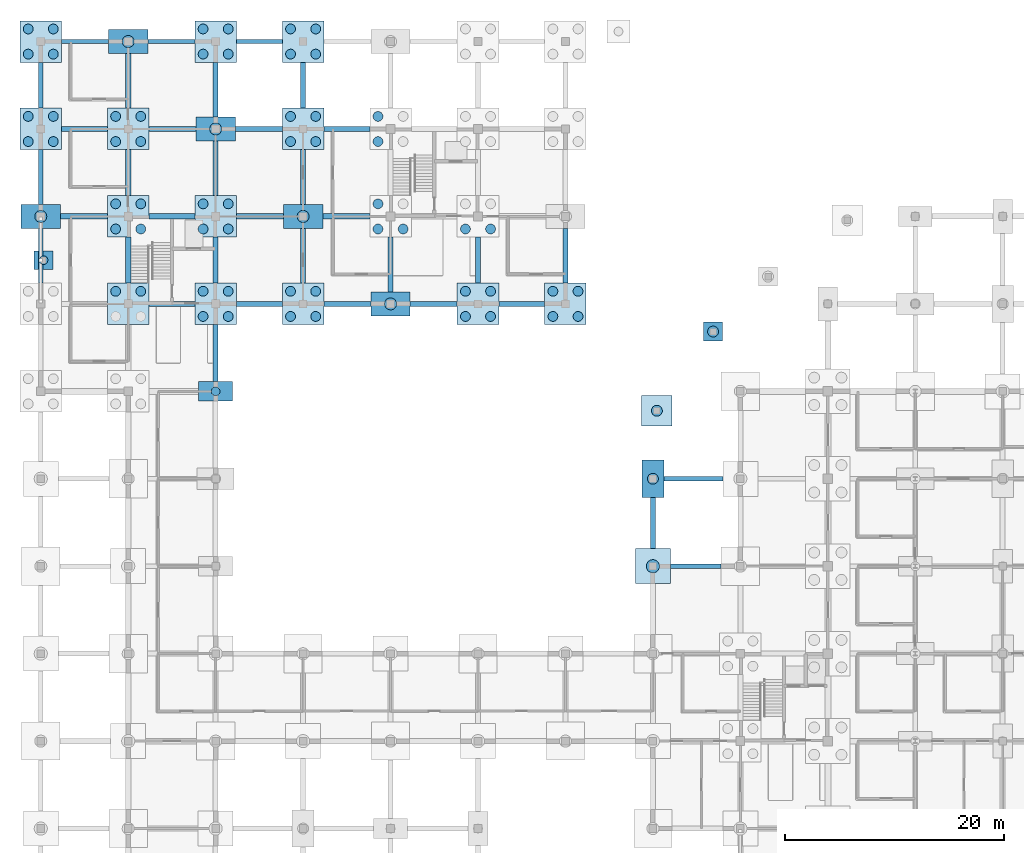
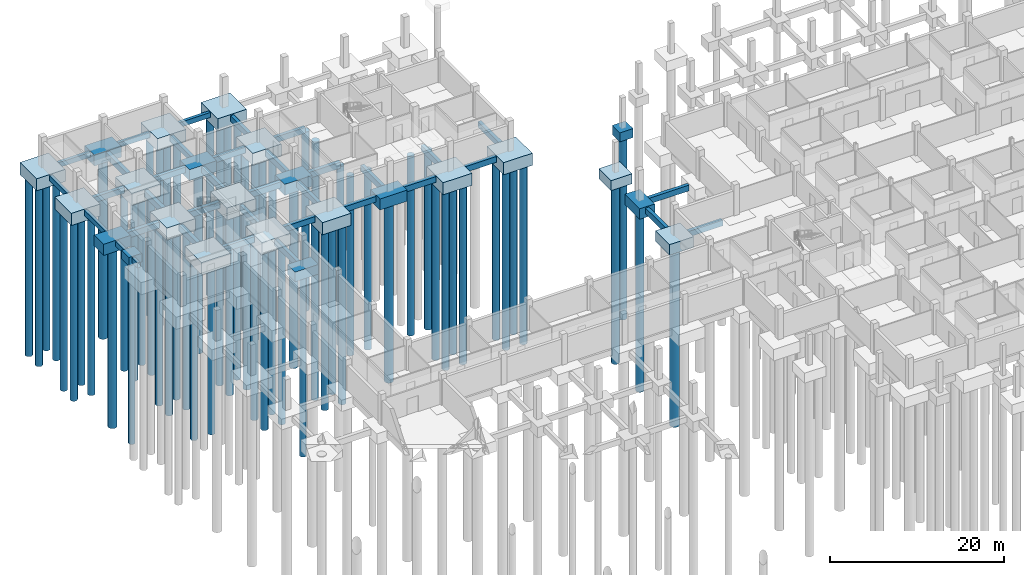
# One storey, part 6 of 48: 68 piles, 59 footings.
"""IFC4 building model written with IfcOpenShell, lengths in metres."""

from ifc_helpers import new_model, si_unit, derived_unit, direction, frame, origin, origin_2d, place, context, subcontext, project, spatial, rectangle, circle, extrude, material, material_profile, profile_set, type_object, element, save


model = new_model("IFC4")

# Units and contexts
model_context = context("Model", 3, precision=1e-05, world=origin(), true_north=direction((0.0, 1.0)))
body_context = subcontext(model_context, "Body", "Model", "MODEL_VIEW")
ifc_project = project(units=[si_unit("LENGTHUNIT", "METRE"), si_unit("AREAUNIT", "SQUARE_METRE"), si_unit("VOLUMEUNIT", "CUBIC_METRE"), si_unit("PLANEANGLEUNIT", "RADIAN"), si_unit("MASSUNIT", "GRAM", prefix="KILO"), derived_unit("THERMALTRANSMITTANCEUNIT", [(si_unit("MASSUNIT", "GRAM", prefix="KILO"), 1), (si_unit("TIMEUNIT", "SECOND"), -3), (si_unit("THERMODYNAMICTEMPERATUREUNIT", "KELVIN"), -1)])], contexts=[model_context])

# Site, building, storey
site_placement = place(None, origin())
site = spatial("IfcSite", under=ifc_project, at=site_placement, CompositionType="ELEMENT")
building_placement = place(site_placement, origin())
building = spatial("IfcBuilding", under=site, at=building_placement, Name="Veyamyaing Civic Hall", CompositionType="ELEMENT")
storey_placement = place(building_placement, frame((0.0, 0.0, -4.2900390625)))
storey = spatial("IfcBuildingStorey", under=building, at=storey_placement, Name="B1", CompositionType="ELEMENT", Elevation=-4.2900390625)

# Footings
ifc_material_1 = material(Name="Concrete C40/50", Category="concrete")
ifc_material_profile_1 = material_profile(ifc_material_1, rectangle(XDim=0.5, YDim=0.85009765625, at=origin_2d()), Name="GB-500X850")
ifc_profile_set_1 = profile_set([ifc_material_profile_1], Name="Concrete C40/50")
footing_type_1 = type_object("IfcFootingType", Name="GB-01", PredefinedType="FOOTING_BEAM", material=ifc_profile_set_1)
footing_1_placement = place(storey_placement, frame((1.800048828125, 96.0, -0.574951171875), z_axis=(1.0, 0.0, 0.0), x_axis=(0.0, 1.0, 0.0)))
element("IfcFooting", 1, at=footing_1_placement, inside=storey, type_object=footing_type_1, Name="Footing tie beam GB-01 X 0-12", PredefinedType="FOOTING_BEAM", context=body_context, shape_type="SweptSolid", body=[
    extrude(rectangle(XDim=0.5, YDim=0.85009765625, at=origin_2d()), origin(), (0.0, 0.0, 1.0), 4.300048828125),
])
for number, where, z_axis, x_axis, name in (
    (2, (8.0, 89.89990234375, -0.574951171875), (0.0, 1.0, 0.0), (-1.0, 0.0, 0.0), "Footing tie beam GB-01 Y 1-11"),
    (3, (9.89990234375, 96.0, -0.574951171875), (1.0, 0.0, 0.0), (0.0, 1.0, 0.0), "Footing tie beam GB-01 X 1-12"),
    (4, (8.0, 97.89990234375, -0.574951171875), (0.0, 1.0, 0.0), (-1.0, 0.0, 0.0), "Footing tie beam GB-01 Y 1-12"),
):
    element("IfcFooting", number, at=place(storey_placement, frame(where, z_axis=z_axis, x_axis=x_axis)), inside=storey, type_object=footing_type_1, Name=name, PredefinedType="FOOTING_BEAM", context=body_context, shape_type="SweptSolid", body=[
        extrude(rectangle(XDim=0.5, YDim=0.85009765625, at=origin_2d()), origin(), (0.0, 0.0, 1.0), 4.2001953125),
    ])
footing_2_placement = place(storey_placement, frame((8.0, 105.89990234375, -0.574951171875), z_axis=(0.0, 1.0, 0.0), x_axis=(-1.0, 0.0, 0.0)))
element("IfcFooting", 5, at=footing_2_placement, inside=storey, type_object=footing_type_1, Name="Footing tie beam GB-01 Y 1-13", PredefinedType="FOOTING_BEAM", context=body_context, shape_type="SweptSolid", body=[
    extrude(rectangle(XDim=0.5, YDim=0.85009765625, at=origin_2d()), origin(), (0.0, 0.0, 1.0), 5.0),
])
for number, where, z_axis, x_axis, name in (
    (6, (17.89990234375, 96.0, -0.574951171875), (1.0, 0.0, 0.0), (0.0, 1.0, 0.0), "Footing tie beam GB-01 X 2-12"),
    (7, (25.800048828125, 96.0, -0.574951171875), (1.0, 0.0, 0.0), (0.0, 1.0, 0.0), "Footing tie beam GB-01 X 3-12"),
):
    element("IfcFooting", number, at=place(storey_placement, frame(where, z_axis=z_axis, x_axis=x_axis)), inside=storey, type_object=footing_type_1, Name=name, PredefinedType="FOOTING_BEAM", context=body_context, shape_type="SweptSolid", body=[
        extrude(rectangle(XDim=0.5, YDim=0.85009765625, at=origin_2d()), origin(), (0.0, 0.0, 1.0), 4.300048828125),
    ])
ifc_material_profile_2 = material_profile(ifc_material_1, rectangle(XDim=0.449951171875, YDim=0.800048828125, at=origin_2d()), Name="GB-450X800")
ifc_profile_set_2 = profile_set([ifc_material_profile_2], Name="Concrete C40/50")
footing_type_2 = type_object("IfcFootingType", Name="GB-02", PredefinedType="FOOTING_BEAM", material=ifc_profile_set_2)
for number, where, z_axis, x_axis, name in (
    (8, (1.89990234375, 104.0, -0.550048828125), (1.0, 0.0, 0.0), (0.0, 1.0, 0.0), "Footing tie beam GB-02 X 0-13"),
    (9, (9.89990234375, 88.0, -0.550048828125), (1.0, 0.0, 0.0), (0.0, 1.0, 0.0), "Footing tie beam GB-02 X 1-11"),
):
    element("IfcFooting", number, at=place(storey_placement, frame(where, z_axis=z_axis, x_axis=x_axis)), inside=storey, type_object=footing_type_2, Name=name, PredefinedType="FOOTING_BEAM", context=body_context, shape_type="SweptSolid", body=[
        extrude(rectangle(XDim=0.449951171875, YDim=0.800048828125, at=origin_2d()), origin(), (0.0, 0.0, 1.0), 4.2001953125),
    ])
footing_3_placement = place(storey_placement, frame((9.89990234375, 104.0, -0.550048828125), z_axis=(1.0, 0.0, 0.0), x_axis=(0.0, 1.0, 0.0)))
element("IfcFooting", 10, at=footing_3_placement, inside=storey, type_object=footing_type_2, Name="Footing tie beam GB-02 X 1-13", PredefinedType="FOOTING_BEAM", context=body_context, shape_type="SweptSolid", body=[
    extrude(rectangle(XDim=0.449951171875, YDim=0.800048828125, at=origin_2d()), origin(), (0.0, 0.0, 1.0), 4.300048828125),
])
footing_4_placement = place(storey_placement, frame((16.0, 80.89990234375, -0.550048828125), z_axis=(0.0, 1.0, 0.0), x_axis=(-1.0, 0.0, 0.0)))
element("IfcFooting", 11, at=footing_4_placement, inside=storey, type_object=footing_type_2, Name="Footing tie beam GB-02 Y 2-10", PredefinedType="FOOTING_BEAM", context=body_context, shape_type="SweptSolid", body=[
    extrude(rectangle(XDim=0.449951171875, YDim=0.800048828125, at=origin_2d()), origin(), (0.0, 0.0, 1.0), 5.2001953125),
])
for number, where, z_axis, x_axis, name in (
    (12, (17.89990234375, 88.0, -0.550048828125), (1.0, 0.0, 0.0), (0.0, 1.0, 0.0), "Footing tie beam GB-02 X 2-11"),
    (13, (16.0, 89.89990234375, -0.550048828125), (0.0, 1.0, 0.0), (-1.0, 0.0, 0.0), "Footing tie beam GB-02 Y 2-11"),
):
    element("IfcFooting", number, at=place(storey_placement, frame(where, z_axis=z_axis, x_axis=x_axis)), inside=storey, type_object=footing_type_2, Name=name, PredefinedType="FOOTING_BEAM", context=body_context, shape_type="SweptSolid", body=[
        extrude(rectangle(XDim=0.449951171875, YDim=0.800048828125, at=origin_2d()), origin(), (0.0, 0.0, 1.0), 4.2001953125),
    ])
footing_5_placement = place(storey_placement, frame((16.0, 97.89990234375, -0.550048828125), z_axis=(0.0, 1.0, 0.0), x_axis=(-1.0, 0.0, 0.0)))
element("IfcFooting", 14, at=footing_5_placement, inside=storey, type_object=footing_type_2, Name="Footing tie beam GB-02 Y 2-12", PredefinedType="FOOTING_BEAM", context=body_context, shape_type="SweptSolid", body=[
    extrude(rectangle(XDim=0.449951171875, YDim=0.800048828125, at=origin_2d()), origin(), (0.0, 0.0, 1.0), 5.0),
])
footing_6_placement = place(storey_placement, frame((17.800048828125, 104.0, -0.550048828125), z_axis=(1.0, 0.0, 0.0), x_axis=(0.0, 1.0, 0.0)))
element("IfcFooting", 15, at=footing_6_placement, inside=storey, type_object=footing_type_2, Name="Footing tie beam GB-02 X 2-13", PredefinedType="FOOTING_BEAM", context=body_context, shape_type="SweptSolid", body=[
    extrude(rectangle(XDim=0.449951171875, YDim=0.800048828125, at=origin_2d()), origin(), (0.0, 0.0, 1.0), 4.300048828125),
])
footing_7_placement = place(storey_placement, frame((16.0, 105.10009765625, -0.550048828125), z_axis=(0.0, 1.0, 0.0), x_axis=(-1.0, 0.0, 0.0)))
element("IfcFooting", 16, at=footing_7_placement, inside=storey, type_object=footing_type_2, Name="Footing tie beam GB-02 Y 2-13", PredefinedType="FOOTING_BEAM", context=body_context, shape_type="SweptSolid", body=[
    extrude(rectangle(XDim=0.449951171875, YDim=0.800048828125, at=origin_2d()), origin(), (0.0, 0.0, 1.0), 5.0),
])
footing_8_placement = place(storey_placement, frame((25.89990234375, 88.0, -0.550048828125), z_axis=(1.0, 0.0, 0.0), x_axis=(0.0, 1.0, 0.0)))
element("IfcFooting", 17, at=footing_8_placement, inside=storey, type_object=footing_type_2, Name="Footing tie beam GB-02 X 3-11", PredefinedType="FOOTING_BEAM", context=body_context, shape_type="SweptSolid", body=[
    extrude(rectangle(XDim=0.449951171875, YDim=0.800048828125, at=origin_2d()), origin(), (0.0, 0.0, 1.0), 4.300048828125),
])
for number, where, z_axis, x_axis, name in (
    (18, (24.0, 89.89990234375, -0.550048828125), (0.0, 1.0, 0.0), (-1.0, 0.0, 0.0), "Footing tie beam GB-02 Y 3-11"),
    (19, (24.0, 97.10009765625, -0.550048828125), (0.0, 1.0, 0.0), (-1.0, 0.0, 0.0), "Footing tie beam GB-02 Y 3-12"),
):
    element("IfcFooting", number, at=place(storey_placement, frame(where, z_axis=z_axis, x_axis=x_axis)), inside=storey, type_object=footing_type_2, Name=name, PredefinedType="FOOTING_BEAM", context=body_context, shape_type="SweptSolid", body=[
        extrude(rectangle(XDim=0.449951171875, YDim=0.800048828125, at=origin_2d()), origin(), (0.0, 0.0, 1.0), 5.0),
    ])
for number, where, z_axis, x_axis, name in (
    (20, (25.89990234375, 104.0, -0.550048828125), (1.0, 0.0, 0.0), (0.0, 1.0, 0.0), "Footing tie beam GB-02 X 3-13"),
    (21, (24.0, 105.89990234375, -0.550048828125), (0.0, 1.0, 0.0), (-1.0, 0.0, 0.0), "Footing tie beam GB-02 Y 3-13"),
):
    element("IfcFooting", number, at=place(storey_placement, frame(where, z_axis=z_axis, x_axis=x_axis)), inside=storey, type_object=footing_type_2, Name=name, PredefinedType="FOOTING_BEAM", context=body_context, shape_type="SweptSolid", body=[
        extrude(rectangle(XDim=0.449951171875, YDim=0.800048828125, at=origin_2d()), origin(), (0.0, 0.0, 1.0), 4.2001953125),
    ])
footing_9_placement = place(storey_placement, frame((33.800048828125, 88.0, -0.550048828125), z_axis=(1.0, 0.0, 0.0), x_axis=(0.0, 1.0, 0.0)))
element("IfcFooting", 22, at=footing_9_placement, inside=storey, type_object=footing_type_2, Name="Footing tie beam GB-02 X 4-11", PredefinedType="FOOTING_BEAM", context=body_context, shape_type="SweptSolid", body=[
    extrude(rectangle(XDim=0.449951171875, YDim=0.800048828125, at=origin_2d()), origin(), (0.0, 0.0, 1.0), 4.300048828125),
])
footing_10_placement = place(storey_placement, frame((32.0, 89.10009765625, -0.550048828125), z_axis=(0.0, 1.0, 0.0), x_axis=(-1.0, 0.0, 0.0)))
element("IfcFooting", 23, at=footing_10_placement, inside=storey, type_object=footing_type_2, Name="Footing tie beam GB-02 Y 4-11", PredefinedType="FOOTING_BEAM", context=body_context, shape_type="SweptSolid", body=[
    extrude(rectangle(XDim=0.449951171875, YDim=0.800048828125, at=origin_2d()), origin(), (0.0, 0.0, 1.0), 5.0),
])
for number, where, z_axis, x_axis, name in (
    (24, (41.89990234375, 88.0, -0.550048828125), (1.0, 0.0, 0.0), (0.0, 1.0, 0.0), "Footing tie beam GB-02 X 5-11"),
    (25, (40.0, 89.89990234375, -0.550048828125), (0.0, 1.0, 0.0), (-1.0, 0.0, 0.0), "Footing tie beam GB-02 Y 5-11"),
):
    element("IfcFooting", number, at=place(storey_placement, frame(where, z_axis=z_axis, x_axis=x_axis)), inside=storey, type_object=footing_type_2, Name=name, PredefinedType="FOOTING_BEAM", context=body_context, shape_type="SweptSolid", body=[
        extrude(rectangle(XDim=0.449951171875, YDim=0.800048828125, at=origin_2d()), origin(), (0.0, 0.0, 1.0), 4.2001953125),
    ])
footing_11_placement = place(storey_placement, frame((48.0, 89.89990234375, -0.550048828125), z_axis=(0.0, 1.0, 0.0), x_axis=(-1.0, 0.0, 0.0)))
element("IfcFooting", 26, at=footing_11_placement, inside=storey, type_object=footing_type_2, Name="Footing tie beam GB-02 Y 6-11", PredefinedType="FOOTING_BEAM", context=body_context, shape_type="SweptSolid", body=[
    extrude(rectangle(XDim=0.449951171875, YDim=0.800048828125, at=origin_2d()), origin(), (0.0, 0.0, 1.0), 5.0),
])
footing_12_placement = place(storey_placement, frame((57.60009765625, 64.0, -0.550048828125), z_axis=(1.0, 0.0, 0.0), x_axis=(0.0, 1.0, 0.0)))
element("IfcFooting", 27, at=footing_12_placement, inside=storey, type_object=footing_type_2, Name="Footing tie beam GB-02 X 7-8", PredefinedType="FOOTING_BEAM", context=body_context, shape_type="SweptSolid", body=[
    extrude(rectangle(XDim=0.449951171875, YDim=0.800048828125, at=origin_2d()), origin(), (0.0, 0.0, 1.0), 4.64990234375),
])
footing_13_placement = place(storey_placement, frame((56.0, 65.60009765625, -0.550048828125), z_axis=(0.0, 1.0, 0.0), x_axis=(-1.0, 0.0, 0.0)))
element("IfcFooting", 28, at=footing_13_placement, inside=storey, type_object=footing_type_2, Name="Footing tie beam GB-02 Y 7-8", PredefinedType="FOOTING_BEAM", context=body_context, shape_type="SweptSolid", body=[
    extrude(rectangle(XDim=0.449951171875, YDim=0.800048828125, at=origin_2d()), origin(), (0.0, 0.0, 1.0), 4.699951171875),
])
footing_14_placement = place(storey_placement, frame((57.0, 72.0, -0.550048828125), z_axis=(1.0, 0.0, 0.0), x_axis=(0.0, 1.0, 0.0)))
element("IfcFooting", 29, at=footing_14_placement, inside=storey, type_object=footing_type_2, Name="Footing tie beam GB-02 X 7-9", PredefinedType="FOOTING_BEAM", context=body_context, shape_type="SweptSolid", body=[
    extrude(rectangle(XDim=0.449951171875, YDim=0.800048828125, at=origin_2d()), origin(), (0.0, 0.0, 1.0), 5.39990234375),
])
ifc_material_profile_3 = material_profile(ifc_material_1, rectangle(XDim=0.39990234375, YDim=0.699951171875, at=origin_2d()), Name="GB-400X700")
ifc_profile_set_3 = profile_set([ifc_material_profile_3], Name="Concrete C40/50")
footing_type_3 = type_object("IfcFootingType", Name="GB-03", PredefinedType="FOOTING_BEAM", material=ifc_profile_set_3)
for number, where, z_axis, x_axis, name in (
    (30, (0.0, 89.89990234375, -0.5), (0.0, 1.0, 0.0), (-1.0, 0.0, 0.0), "Footing tie beam GB-03 Y 0-11"),
    (31, (0.0, 97.10009765625, -0.5), (0.0, 1.0, 0.0), (-1.0, 0.0, 0.0), "Footing tie beam GB-03 Y 0-12"),
):
    element("IfcFooting", number, at=place(storey_placement, frame(where, z_axis=z_axis, x_axis=x_axis)), inside=storey, type_object=footing_type_3, Name=name, PredefinedType="FOOTING_BEAM", context=body_context, shape_type="SweptSolid", body=[
        extrude(rectangle(XDim=0.39990234375, YDim=0.699951171875, at=origin_2d()), origin(), (0.0, 0.0, 1.0), 5.0),
    ])
footing_15_placement = place(storey_placement, frame((0.0, 105.89990234375, -0.5), z_axis=(0.0, 1.0, 0.0), x_axis=(-1.0, 0.0, 0.0)))
element("IfcFooting", 32, at=footing_15_placement, inside=storey, type_object=footing_type_3, Name="Footing tie beam GB-03 Y 0-13", PredefinedType="FOOTING_BEAM", context=body_context, shape_type="SweptSolid", body=[
    extrude(rectangle(XDim=0.39990234375, YDim=0.699951171875, at=origin_2d()), origin(), (0.0, 0.0, 1.0), 4.2001953125),
])
for number, where, z_axis, x_axis, name in (
    (33, (1.89990234375, 112.0, -0.5), (1.0, 0.0, 0.0), (0.0, 1.0, 0.0), "Footing tie beam GB-03 X 0-14"),
    (34, (9.800048828125, 112.0, -0.5), (1.0, 0.0, 0.0), (0.0, 1.0, 0.0), "Footing tie beam GB-03 X 1-14"),
):
    element("IfcFooting", number, at=place(storey_placement, frame(where, z_axis=z_axis, x_axis=x_axis)), inside=storey, type_object=footing_type_3, Name=name, PredefinedType="FOOTING_BEAM", context=body_context, shape_type="SweptSolid", body=[
        extrude(rectangle(XDim=0.39990234375, YDim=0.699951171875, at=origin_2d()), origin(), (0.0, 0.0, 1.0), 4.300048828125),
    ])
footing_16_placement = place(storey_placement, frame((17.89990234375, 112.0, -0.5), z_axis=(1.0, 0.0, 0.0), x_axis=(0.0, 1.0, 0.0)))
element("IfcFooting", 35, at=footing_16_placement, inside=storey, type_object=footing_type_3, Name="Footing tie beam GB-03 X 2-14", PredefinedType="FOOTING_BEAM", context=body_context, shape_type="SweptSolid", body=[
    extrude(rectangle(XDim=0.39990234375, YDim=0.699951171875, at=origin_2d()), origin(), (0.0, 0.0, 1.0), 4.2001953125),
])

# Piles
ifc_material_2 = material(Name="Concrete C35/45", Category="concrete")
ifc_material_profile_4 = material_profile(ifc_material_2, circle(Radius=0.60009765625, at=origin_2d()), Name="PILE-D1200")
ifc_profile_set_4 = profile_set([ifc_material_profile_4], Name="Concrete C35/45")
pile_type_1 = type_object("IfcPileType", Name="P-01", PredefinedType="BORED", material=ifc_profile_set_4)
pile_1_placement = place(storey_placement, frame((56.0, 64.0, -1.39990234375), z_axis=(0.0, 0.0, -1.0), x_axis=(1.0, 0.0, 0.0)))
element("IfcPile", 36, at=pile_1_placement, inside=storey, type_object=pile_type_1, Name="Bored pile P-01 G07-08.1", PredefinedType="BORED", context=body_context, shape_type="SweptSolid", body=[
    extrude(circle(Radius=0.60009765625, at=origin_2d()), origin(), (0.0, 0.0, 1.0), 25.31005859375),
])
ifc_material_profile_5 = material_profile(ifc_material_2, circle(Radius=0.550048828125, at=origin_2d()), Name="PILE-D1100")
ifc_profile_set_5 = profile_set([ifc_material_profile_5], Name="Concrete C35/45")
pile_type_2 = type_object("IfcPileType", Name="P-02", PredefinedType="BORED", material=ifc_profile_set_5)
for number, where, z_axis, x_axis, name in (
    (37, (0.0, 96.0, -1.449951171875), (0.0, 0.0, -1.0), (1.0, 0.0, 0.0), "Bored pile P-02 G00-12.1"),
    (38, (8.0, 112.0, -1.449951171875), (0.0, 0.0, -1.0), (1.0, 0.0, 0.0), "Bored pile P-02 G01-14.1"),
    (39, (16.0, 104.0, -1.449951171875), (0.0, 0.0, -1.0), (1.0, 0.0, 0.0), "Bored pile P-02 G02-13.1"),
    (40, (24.0, 96.0, -1.449951171875), (0.0, 0.0, -1.0), (1.0, 0.0, 0.0), "Bored pile P-02 G03-12.1"),
    (41, (32.0, 88.0, -1.449951171875), (0.0, 0.0, -1.0), (1.0, 0.0, 0.0), "Bored pile P-02 G04-11.1"),
):
    element("IfcPile", number, at=place(storey_placement, frame(where, z_axis=z_axis, x_axis=x_axis)), inside=storey, type_object=pile_type_2, Name=name, PredefinedType="BORED", context=body_context, shape_type="SweptSolid", body=[
        extrude(circle(Radius=0.550048828125, at=origin_2d()), origin(), (0.0, 0.0, 1.0), 25.260009765625),
    ])
ifc_material_profile_6 = material_profile(ifc_material_2, circle(Radius=0.5, at=origin_2d()), Name="PILE-D1000")
ifc_profile_set_6 = profile_set([ifc_material_profile_6], Name="Concrete C35/45")
pile_type_3 = type_object("IfcPileType", Name="P-03", PredefinedType="BORED", material=ifc_profile_set_6)
pile_2_placement = place(storey_placement, frame((56.0, 72.0, -1.349853515625), z_axis=(0.0, 0.0, -1.0), x_axis=(1.0, 0.0, 0.0)))
element("IfcPile", 42, at=pile_2_placement, inside=storey, type_object=pile_type_3, Name="Bored pile P-03 G07-09.1", PredefinedType="BORED", context=body_context, shape_type="SweptSolid", body=[
    extrude(circle(Radius=0.5, at=origin_2d()), origin(), (0.0, 0.0, 1.0), 25.360107421875),
])
pile_3_placement = place(storey_placement, frame((61.5048828125, 85.466552734375, -1.14990234375), z_axis=(0.0, 0.0, -1.0), x_axis=(1.0, 0.0, 0.0)))
element("IfcPile", 43, at=pile_3_placement, inside=storey, type_object=pile_type_3, Name="Bored pile P-03 ARC-NW-09.1", PredefinedType="BORED", context=body_context, shape_type="SweptSolid", body=[
    extrude(circle(Radius=0.5, at=origin_2d()), origin(), (0.0, 0.0, 1.0), 25.56005859375),
])
pile_4_placement = place(storey_placement, frame((56.36376953125, 78.220703125, -1.300048828125), z_axis=(0.0, 0.0, -1.0), x_axis=(1.0, 0.0, 0.0)))
element("IfcPile", 44, at=pile_4_placement, inside=storey, type_object=pile_type_3, Name="Bored pile P-03 ARC-NW-14.1", PredefinedType="BORED", context=body_context, shape_type="SweptSolid", body=[
    extrude(circle(Radius=0.5, at=origin_2d()), origin(), (0.0, 0.0, 1.0), 25.409912109375),
])
ifc_material_profile_7 = material_profile(ifc_material_2, circle(Radius=0.449951171875, at=origin_2d()), Name="PILE-D900")
ifc_profile_set_7 = profile_set([ifc_material_profile_7], Name="Concrete C35/45")
pile_type_4 = type_object("IfcPileType", Name="P-04", PredefinedType="BORED", material=ifc_profile_set_7)
for number, where, z_axis, x_axis, name in (
    (45, (-1.14990234375, 102.85009765625, -1.599853515625), (0.0, 0.0, -1.0), (1.0, 0.0, 0.0), "Bored pile P-04 G00-13.1"),
    (46, (-1.14990234375, 105.14990234375, -1.599853515625), (0.0, 0.0, -1.0), (1.0, 0.0, 0.0), "Bored pile P-04 G00-13.2"),
    (47, (1.14990234375, 102.85009765625, -1.599853515625), (0.0, 0.0, -1.0), (1.0, 0.0, 0.0), "Bored pile P-04 G00-13.3"),
    (48, (1.14990234375, 105.14990234375, -1.599853515625), (0.0, 0.0, -1.0), (1.0, 0.0, 0.0), "Bored pile P-04 G00-13.4"),
    (49, (-1.14990234375, 110.85009765625, -1.599853515625), (0.0, 0.0, -1.0), (1.0, 0.0, 0.0), "Bored pile P-04 G00-14.1"),
    (50, (-1.14990234375, 113.14990234375, -1.599853515625), (0.0, 0.0, -1.0), (1.0, 0.0, 0.0), "Bored pile P-04 G00-14.2"),
    (51, (1.14990234375, 110.85009765625, -1.599853515625), (0.0, 0.0, -1.0), (1.0, 0.0, 0.0), "Bored pile P-04 G00-14.3"),
    (52, (1.14990234375, 113.14990234375, -1.599853515625), (0.0, 0.0, -1.0), (1.0, 0.0, 0.0), "Bored pile P-04 G00-14.4"),
    (53, (6.85009765625, 89.14990234375, -1.599853515625), (0.0, 0.0, -1.0), (1.0, 0.0, 0.0), "Bored pile P-04 G01-11.2"),
    (54, (9.14990234375, 89.14990234375, -1.599853515625), (0.0, 0.0, -1.0), (1.0, 0.0, 0.0), "Bored pile P-04 G01-11.4"),
    (55, (6.85009765625, 94.85009765625, -1.599853515625), (0.0, 0.0, -1.0), (1.0, 0.0, 0.0), "Bored pile P-04 G01-12.1"),
    (56, (6.85009765625, 97.14990234375, -1.599853515625), (0.0, 0.0, -1.0), (1.0, 0.0, 0.0), "Bored pile P-04 G01-12.2"),
    (57, (9.14990234375, 94.85009765625, -1.599853515625), (0.0, 0.0, -1.0), (1.0, 0.0, 0.0), "Bored pile P-04 G01-12.3"),
    (58, (9.14990234375, 97.14990234375, -1.599853515625), (0.0, 0.0, -1.0), (1.0, 0.0, 0.0), "Bored pile P-04 G01-12.4"),
    (59, (6.85009765625, 102.85009765625, -1.599853515625), (0.0, 0.0, -1.0), (1.0, 0.0, 0.0), "Bored pile P-04 G01-13.1"),
    (60, (6.85009765625, 105.14990234375, -1.599853515625), (0.0, 0.0, -1.0), (1.0, 0.0, 0.0), "Bored pile P-04 G01-13.2"),
    (61, (9.14990234375, 102.85009765625, -1.599853515625), (0.0, 0.0, -1.0), (1.0, 0.0, 0.0), "Bored pile P-04 G01-13.3"),
    (62, (9.14990234375, 105.14990234375, -1.599853515625), (0.0, 0.0, -1.0), (1.0, 0.0, 0.0), "Bored pile P-04 G01-13.4"),
    (63, (14.85009765625, 86.85009765625, -1.599853515625), (0.0, 0.0, -1.0), (1.0, 0.0, 0.0), "Bored pile P-04 G02-11.1"),
    (64, (14.85009765625, 89.14990234375, -1.599853515625), (0.0, 0.0, -1.0), (1.0, 0.0, 0.0), "Bored pile P-04 G02-11.2"),
    (65, (17.14990234375, 86.85009765625, -1.599853515625), (0.0, 0.0, -1.0), (1.0, 0.0, 0.0), "Bored pile P-04 G02-11.3"),
    (66, (17.14990234375, 89.14990234375, -1.599853515625), (0.0, 0.0, -1.0), (1.0, 0.0, 0.0), "Bored pile P-04 G02-11.4"),
    (67, (14.85009765625, 94.85009765625, -1.599853515625), (0.0, 0.0, -1.0), (1.0, 0.0, 0.0), "Bored pile P-04 G02-12.1"),
    (68, (14.85009765625, 97.14990234375, -1.599853515625), (0.0, 0.0, -1.0), (1.0, 0.0, 0.0), "Bored pile P-04 G02-12.2"),
    (69, (17.14990234375, 94.85009765625, -1.599853515625), (0.0, 0.0, -1.0), (1.0, 0.0, 0.0), "Bored pile P-04 G02-12.3"),
    (70, (17.14990234375, 97.14990234375, -1.599853515625), (0.0, 0.0, -1.0), (1.0, 0.0, 0.0), "Bored pile P-04 G02-12.4"),
    (71, (14.85009765625, 110.85009765625, -1.599853515625), (0.0, 0.0, -1.0), (1.0, 0.0, 0.0), "Bored pile P-04 G02-14.1"),
    (72, (14.85009765625, 113.14990234375, -1.599853515625), (0.0, 0.0, -1.0), (1.0, 0.0, 0.0), "Bored pile P-04 G02-14.2"),
    (73, (17.14990234375, 110.85009765625, -1.599853515625), (0.0, 0.0, -1.0), (1.0, 0.0, 0.0), "Bored pile P-04 G02-14.3"),
    (74, (17.14990234375, 113.14990234375, -1.599853515625), (0.0, 0.0, -1.0), (1.0, 0.0, 0.0), "Bored pile P-04 G02-14.4"),
    (75, (22.85009765625, 86.85009765625, -1.599853515625), (0.0, 0.0, -1.0), (1.0, 0.0, 0.0), "Bored pile P-04 G03-11.1"),
    (76, (22.85009765625, 89.14990234375, -1.599853515625), (0.0, 0.0, -1.0), (1.0, 0.0, 0.0), "Bored pile P-04 G03-11.2"),
    (77, (25.14990234375, 86.85009765625, -1.599853515625), (0.0, 0.0, -1.0), (1.0, 0.0, 0.0), "Bored pile P-04 G03-11.3"),
    (78, (25.14990234375, 89.14990234375, -1.599853515625), (0.0, 0.0, -1.0), (1.0, 0.0, 0.0), "Bored pile P-04 G03-11.4"),
    (79, (22.85009765625, 102.85009765625, -1.599853515625), (0.0, 0.0, -1.0), (1.0, 0.0, 0.0), "Bored pile P-04 G03-13.1"),
    (80, (22.85009765625, 105.14990234375, -1.599853515625), (0.0, 0.0, -1.0), (1.0, 0.0, 0.0), "Bored pile P-04 G03-13.2"),
    (81, (25.14990234375, 102.85009765625, -1.599853515625), (0.0, 0.0, -1.0), (1.0, 0.0, 0.0), "Bored pile P-04 G03-13.3"),
    (82, (25.14990234375, 105.14990234375, -1.599853515625), (0.0, 0.0, -1.0), (1.0, 0.0, 0.0), "Bored pile P-04 G03-13.4"),
    (83, (22.85009765625, 110.85009765625, -1.599853515625), (0.0, 0.0, -1.0), (1.0, 0.0, 0.0), "Bored pile P-04 G03-14.1"),
    (84, (22.85009765625, 113.14990234375, -1.599853515625), (0.0, 0.0, -1.0), (1.0, 0.0, 0.0), "Bored pile P-04 G03-14.2"),
    (85, (25.14990234375, 110.85009765625, -1.599853515625), (0.0, 0.0, -1.0), (1.0, 0.0, 0.0), "Bored pile P-04 G03-14.3"),
    (86, (25.14990234375, 113.14990234375, -1.599853515625), (0.0, 0.0, -1.0), (1.0, 0.0, 0.0), "Bored pile P-04 G03-14.4"),
    (87, (30.85009765625, 94.85009765625, -1.599853515625), (0.0, 0.0, -1.0), (1.0, 0.0, 0.0), "Bored pile P-04 G04-12.1"),
    (88, (30.85009765625, 97.14990234375, -1.599853515625), (0.0, 0.0, -1.0), (1.0, 0.0, 0.0), "Bored pile P-04 G04-12.2"),
    (89, (33.14990234375, 94.85009765625, -1.599853515625), (0.0, 0.0, -1.0), (1.0, 0.0, 0.0), "Bored pile P-04 G04-12.3"),
    (90, (30.85009765625, 102.85009765625, -1.599853515625), (0.0, 0.0, -1.0), (1.0, 0.0, 0.0), "Bored pile P-04 G04-13.1"),
    (91, (30.85009765625, 105.14990234375, -1.599853515625), (0.0, 0.0, -1.0), (1.0, 0.0, 0.0), "Bored pile P-04 G04-13.2"),
    (92, (38.85009765625, 86.85009765625, -1.599853515625), (0.0, 0.0, -1.0), (1.0, 0.0, 0.0), "Bored pile P-04 G05-11.1"),
    (93, (38.85009765625, 89.14990234375, -1.599853515625), (0.0, 0.0, -1.0), (1.0, 0.0, 0.0), "Bored pile P-04 G05-11.2"),
    (94, (41.14990234375, 86.85009765625, -1.599853515625), (0.0, 0.0, -1.0), (1.0, 0.0, 0.0), "Bored pile P-04 G05-11.3"),
    (95, (41.14990234375, 89.14990234375, -1.599853515625), (0.0, 0.0, -1.0), (1.0, 0.0, 0.0), "Bored pile P-04 G05-11.4"),
    (96, (38.85009765625, 94.85009765625, -1.599853515625), (0.0, 0.0, -1.0), (1.0, 0.0, 0.0), "Bored pile P-04 G05-12.1"),
    (97, (41.14990234375, 94.85009765625, -1.599853515625), (0.0, 0.0, -1.0), (1.0, 0.0, 0.0), "Bored pile P-04 G05-12.3"),
    (98, (46.85009765625, 86.85009765625, -1.599853515625), (0.0, 0.0, -1.0), (1.0, 0.0, 0.0), "Bored pile P-04 G06-11.1"),
    (99, (46.85009765625, 89.14990234375, -1.599853515625), (0.0, 0.0, -1.0), (1.0, 0.0, 0.0), "Bored pile P-04 G06-11.2"),
    (100, (49.14990234375, 86.85009765625, -1.599853515625), (0.0, 0.0, -1.0), (1.0, 0.0, 0.0), "Bored pile P-04 G06-11.3"),
    (101, (49.14990234375, 89.14990234375, -1.599853515625), (0.0, 0.0, -1.0), (1.0, 0.0, 0.0), "Bored pile P-04 G06-11.4"),
):
    element("IfcPile", number, at=place(storey_placement, frame(where, z_axis=z_axis, x_axis=x_axis)), inside=storey, type_object=pile_type_4, Name=name, PredefinedType="BORED", context=body_context, shape_type="SweptSolid", body=[
        extrude(circle(Radius=0.449951171875, at=origin_2d()), origin(), (0.0, 0.0, 1.0), 25.110107421875),
    ])
ifc_material_profile_8 = material_profile(ifc_material_2, circle(Radius=0.39990234375, at=origin_2d()), Name="PILE-D800")
ifc_profile_set_8 = profile_set([ifc_material_profile_8], Name="Concrete C35/45")
pile_type_5 = type_object("IfcPileType", Name="P-05", PredefinedType="BORED", material=ifc_profile_set_8)
pile_5_placement = place(storey_placement, frame((16.0, 80.0, -1.25), z_axis=(0.0, 0.0, -1.0), x_axis=(1.0, 0.0, 0.0)))
element("IfcPile", 102, at=pile_5_placement, inside=storey, type_object=pile_type_5, Name="Bored pile P-05 G02-10.1", PredefinedType="BORED", context=body_context, shape_type="SweptSolid", body=[
    extrude(circle(Radius=0.39990234375, at=origin_2d()), origin(), (0.0, 0.0, 1.0), 25.4599609375),
])
pile_6_placement = place(storey_placement, frame((0.25, 92.0, -1.099853515625), z_axis=(0.0, 0.0, -1.0), x_axis=(1.0, 0.0, 0.0)))
element("IfcPile", 103, at=pile_6_placement, inside=storey, type_object=pile_type_5, Name="Bored pile P-05 PIL-W-11.1", PredefinedType="BORED", context=body_context, shape_type="SweptSolid", body=[
    extrude(circle(Radius=0.39990234375, at=origin_2d()), origin(), (0.0, 0.0, 1.0), 25.610107421875),
])

# Footings
footing_type_4 = type_object("IfcFootingType", Name="PC-01", PredefinedType="PILE_CAP", material=ifc_material_1)
for number, where, z_axis, x_axis, name in (
    (104, (0.0, 104.0, -1.69970703125), (0.0, 0.0, 1.0), (1.0, 0.0, 0.0), "Pile cap PC-01 G00-13"),
    (105, (0.0, 112.0, -1.69970703125), (0.0, 0.0, 1.0), (1.0, 0.0, 0.0), "Pile cap PC-01 G00-14"),
    (106, (8.0, 88.0, -1.69970703125), (0.0, 0.0, 1.0), (1.0, 0.0, 0.0), "Pile cap PC-01 G01-11"),
    (107, (8.0, 96.0, -1.69970703125), (0.0, 0.0, 1.0), (1.0, 0.0, 0.0), "Pile cap PC-01 G01-12"),
    (108, (8.0, 104.0, -1.69970703125), (0.0, 0.0, 1.0), (1.0, 0.0, 0.0), "Pile cap PC-01 G01-13"),
    (109, (16.0, 88.0, -1.69970703125), (0.0, 0.0, 1.0), (1.0, 0.0, 0.0), "Pile cap PC-01 G02-11"),
    (110, (16.0, 96.0, -1.69970703125), (0.0, 0.0, 1.0), (1.0, 0.0, 0.0), "Pile cap PC-01 G02-12"),
    (111, (16.0, 112.0, -1.69970703125), (0.0, 0.0, 1.0), (1.0, 0.0, 0.0), "Pile cap PC-01 G02-14"),
    (112, (24.0, 88.0, -1.69970703125), (0.0, 0.0, 1.0), (1.0, 0.0, 0.0), "Pile cap PC-01 G03-11"),
    (113, (24.0, 104.0, -1.69970703125), (0.0, 0.0, 1.0), (1.0, 0.0, 0.0), "Pile cap PC-01 G03-13"),
    (114, (24.0, 112.0, -1.69970703125), (0.0, 0.0, 1.0), (1.0, 0.0, 0.0), "Pile cap PC-01 G03-14"),
    (115, (40.0, 88.0, -1.69970703125), (0.0, 0.0, 1.0), (1.0, 0.0, 0.0), "Pile cap PC-01 G05-11"),
    (116, (48.0, 88.0, -1.69970703125), (0.0, 0.0, 1.0), (1.0, 0.0, 0.0), "Pile cap PC-01 G06-11"),
):
    element("IfcFooting", number, at=place(storey_placement, frame(where, z_axis=z_axis, x_axis=x_axis)), inside=storey, type_object=footing_type_4, Name=name, PredefinedType="PILE_CAP", context=body_context, shape_type="SweptSolid", body=[
        extrude(rectangle(XDim=3.800048828125, YDim=3.800048828125, at=origin_2d()), origin(), (0.0, 0.0, 1.0), 1.699951171875),
    ])
footing_type_5 = type_object("IfcFootingType", Name="PC-03", PredefinedType="PILE_CAP", material=ifc_material_1)
footing_17_placement = place(storey_placement, frame((56.0, 64.0, -1.5), z_axis=(0.0, 0.0, 1.0), x_axis=(1.0, 0.0, 0.0)))
element("IfcFooting", 117, at=footing_17_placement, inside=storey, type_object=footing_type_5, Name="Pile cap PC-03 G07-08", PredefinedType="PILE_CAP", context=body_context, shape_type="SweptSolid", body=[
    extrude(rectangle(XDim=3.199951171875, YDim=3.199951171875, at=origin_2d()), origin(), (0.0, 0.0, 1.0), 1.5),
])
footing_type_6 = type_object("IfcFootingType", Name="PC-05", PredefinedType="PILE_CAP", material=ifc_material_1)
footing_18_placement = place(storey_placement, frame((56.0, 72.0, -1.44970703125), z_axis=(0.0, 0.0, 1.0), x_axis=(1.0, 0.0, 0.0)))
element("IfcFooting", 118, at=footing_18_placement, inside=storey, type_object=footing_type_6, Name="Pile cap PC-05 G07-09", PredefinedType="PILE_CAP", context=body_context, shape_type="SweptSolid", body=[
    extrude(rectangle(XDim=2.0, YDim=3.39990234375, at=origin_2d()), origin(), (0.0, 0.0, 1.0), 1.449951171875),
])
footing_type_7 = type_object("IfcFootingType", Name="PC-06", PredefinedType="PILE_CAP", material=ifc_material_1)
footing_19_placement = place(storey_placement, frame((16.0, 80.0, -1.35009765625), z_axis=(0.0, 0.0, 1.0), x_axis=(1.0, 0.0, 0.0)))
element("IfcFooting", 119, at=footing_19_placement, inside=storey, type_object=footing_type_7, Name="Pile cap PC-06 G02-10", PredefinedType="PILE_CAP", context=body_context, shape_type="SweptSolid", body=[
    extrude(rectangle(XDim=3.10009765625, YDim=1.800048828125, at=origin_2d()), origin(), (0.0, 0.0, 1.0), 1.35009765625),
])
footing_type_8 = type_object("IfcFootingType", Name="PC-08", PredefinedType="PILE_CAP", material=ifc_material_1)
footing_20_placement = place(storey_placement, frame((56.36376953125, 78.220703125, -1.39990234375), z_axis=(0.0, 0.0, 1.0), x_axis=(1.0, 0.0, 0.0)))
element("IfcFooting", 120, at=footing_20_placement, inside=storey, type_object=footing_type_8, Name="Pile cap PC-08 ARC-NW-14", PredefinedType="PILE_CAP", context=body_context, shape_type="SweptSolid", body=[
    extrude(rectangle(XDim=2.800048828125, YDim=2.800048828125, at=origin_2d()), origin(), (0.0, 0.0, 1.0), 1.39990234375),
])
footing_type_9 = type_object("IfcFootingType", Name="PC-10", PredefinedType="PILE_CAP", material=ifc_material_1)
footing_21_placement = place(storey_placement, frame((0.25, 92.0, -1.19970703125), z_axis=(0.0, 0.0, 1.0), x_axis=(1.0, 0.0, 0.0)))
element("IfcFooting", 121, at=footing_21_placement, inside=storey, type_object=footing_type_9, Name="Pile cap PC-10 PIL-W-11", PredefinedType="PILE_CAP", context=body_context, shape_type="SweptSolid", body=[
    extrude(rectangle(XDim=1.699951171875, YDim=1.699951171875, at=origin_2d()), origin(), (0.0, 0.0, 1.0), 1.199951171875),
])
footing_type_10 = type_object("IfcFootingType", Name="PC-12", PredefinedType="PILE_CAP", material=ifc_material_1)
for number, where, z_axis, x_axis, name in (
    (122, (0.0, 96.0, -1.5498046875), (0.0, 0.0, 1.0), (1.0, 0.0, 0.0), "Pile cap PC-12 G00-12"),
    (123, (8.0, 112.0, -1.5498046875), (0.0, 0.0, 1.0), (1.0, 0.0, 0.0), "Pile cap PC-12 G01-14"),
    (124, (16.0, 104.0, -1.5498046875), (0.0, 0.0, 1.0), (1.0, 0.0, 0.0), "Pile cap PC-12 G02-13"),
    (125, (24.0, 96.0, -1.5498046875), (0.0, 0.0, 1.0), (1.0, 0.0, 0.0), "Pile cap PC-12 G03-12"),
    (126, (32.0, 88.0, -1.5498046875), (0.0, 0.0, 1.0), (1.0, 0.0, 0.0), "Pile cap PC-12 G04-11"),
):
    element("IfcFooting", number, at=place(storey_placement, frame(where, z_axis=z_axis, x_axis=x_axis)), inside=storey, type_object=footing_type_10, Name=name, PredefinedType="PILE_CAP", context=body_context, shape_type="SweptSolid", body=[
        extrude(rectangle(XDim=3.60009765625, YDim=2.199951171875, at=origin_2d()), origin(), (0.0, 0.0, 1.0), 1.550048828125),
    ])
footing_type_11 = type_object("IfcFootingType", Name="PC-15", PredefinedType="PILE_CAP", material=ifc_material_1)
footing_22_placement = place(storey_placement, frame((61.5048828125, 85.466552734375, -1.25), z_axis=(0.0, 0.0, 1.0), x_axis=(1.0, 0.0, 0.0)))
element("IfcFooting", 127, at=footing_22_placement, inside=storey, type_object=footing_type_11, Name="Pile cap PC-15 ARC-NW-09", PredefinedType="PILE_CAP", context=body_context, shape_type="SweptSolid", body=[
    extrude(rectangle(XDim=1.75, YDim=1.75, at=origin_2d()), origin(), (0.0, 0.0, 1.0), 1.25),
])

save(model, "model.ifc")
